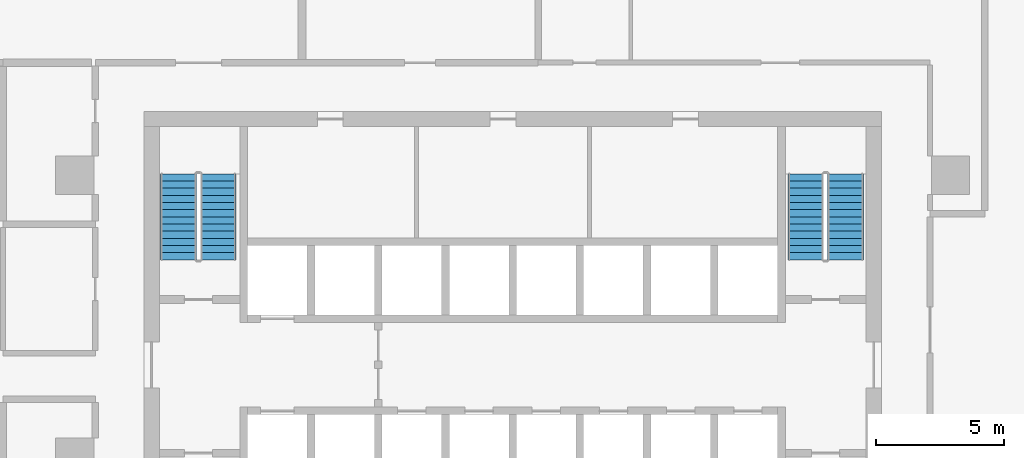
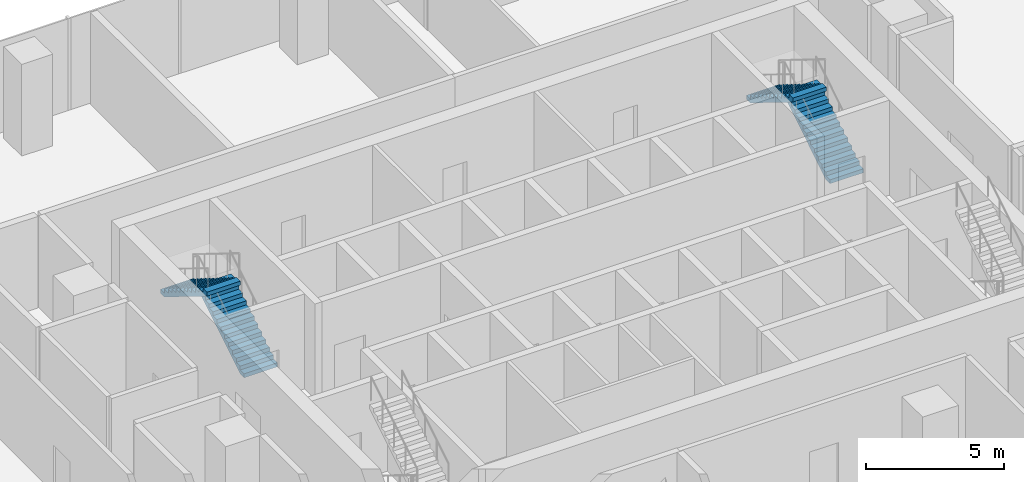
# One storey, part 11 of 15: 4 stair flights, 2 elements without a shape of their own.
"""IFC4 building model written with IfcOpenShell, lengths in metres."""

from ifc_helpers import new_model, si_unit, direction, frame, origin, place, context, subcontext, project, spatial, polyline, outline, extrude, material, type_object, element, aggregate, save


model = new_model("IFC4")

# Units and contexts
model_context = context("Model", 3, precision=1e-05, world=origin(), true_north=direction((0.0, 1.0)))
body_context = subcontext(model_context, "Body", "Model", "MODEL_VIEW")
ifc_project = project(units=[si_unit("LENGTHUNIT", "METRE"), si_unit("AREAUNIT", "SQUARE_METRE"), si_unit("VOLUMEUNIT", "CUBIC_METRE"), si_unit("PLANEANGLEUNIT", "RADIAN"), si_unit("MASSUNIT", "GRAM", prefix="KILO")], contexts=[model_context])

# Site, building, storey
site_placement = place(None, origin())
site = spatial("IfcSite", under=ifc_project, at=site_placement, CompositionType="ELEMENT")
building_placement = place(site_placement, origin())
building = spatial("IfcBuilding", under=site, at=building_placement, Name="Mopane Tessera Tower", CompositionType="ELEMENT")
storey_placement = place(building_placement, frame((0.0, 0.0, 99.10009765625)))
storey = spatial("IfcBuildingStorey", under=building, at=storey_placement, Name="L19", CompositionType="ELEMENT", Elevation=99.10009765625)

# Stair, stair flights
ifc_material_1 = material(Name="Concrete C50/60", Category="concrete")
stair_type = type_object("IfcStairType", Name="Escape stair 1400 mm, riser 173 mm", PredefinedType="HALF_TURN_STAIR", material=ifc_material_1)
stair_1_placement = place(storey_placement, origin())
stair_1 = element("IfcStair", 1, at=stair_1_placement, inside=storey, type_object=stair_type, Name="L19 Escape stair north-west", PredefinedType="HALF_TURN_STAIR")
ifc_material_2 = material(Name="Concrete C50/60", Category="concrete")
stair_flight_type = type_object("IfcStairFlightType", Name="Escape stair flight 1400 mm", PredefinedType="STRAIGHT", material=ifc_material_2)
stair_flight_1_placement = place(storey_placement, frame((-11.5, 7.699951171875, 0.0), z_axis=(0.0, 0.0, 1.0), x_axis=(0.0, 1.0, 0.0)))
stair_flight_1 = element("IfcStairFlight", 2, at=stair_flight_1_placement, type_object=stair_flight_type, Name="ST2 flight 1", NumberOfRisers=13, NumberOfTreads=12, PredefinedType="STRAIGHT", RiserHeight=0.173076923, TreadLength=0.28, context=body_context, shape_type="SweptSolid", body=[
    extrude(outline(polyline([(0.0, 0.0), (0.0, 0.173095703125), (0.280029296875, 0.173095703125), (0.280029296875, 0.34619140625), (0.56005859375, 0.34619140625), (0.56005859375, 0.519287109375), (0.840087890625, 0.519287109375), (0.840087890625, 0.6923828125), (1.1201171875, 0.6923828125), (1.1201171875, 0.865478515625), (1.39990234375, 0.865478515625), (1.39990234375, 1.03857421875), (1.679931640625, 1.03857421875), (1.679931640625, 1.21142578125), (1.9599609375, 1.21142578125), (1.9599609375, 1.384521484375), (2.239990234375, 1.384521484375), (2.239990234375, 1.5576171875), (2.52001953125, 1.5576171875), (2.52001953125, 1.730712890625), (2.800048828125, 1.730712890625), (2.800048828125, 1.90380859375), (3.080078125, 1.90380859375), (3.080078125, 2.076904296875), (3.360107421875, 2.076904296875), (3.360107421875, 2.25), (3.360107421875, 1.900634765625), (0.28515625, 0.0), (0.0, 0.0)])), frame((0.0, 0.699951171875, 0.0), z_axis=(0.0, -1.0, 0.0), x_axis=(1.0, 0.0, 0.0)), (0.0, 0.0, 1.0), 1.39990234375),
])
stair_flight_2_placement = place(storey_placement, frame((-13.050048828125, 11.06005859375, 2.25), z_axis=(0.0, 0.0, 1.0), x_axis=(0.0, -1.0, 0.0)))
stair_flight_2 = element("IfcStairFlight", 3, at=stair_flight_2_placement, type_object=stair_flight_type, Name="ST2 flight 2", NumberOfRisers=13, NumberOfTreads=12, PredefinedType="STRAIGHT", RiserHeight=0.173076923, TreadLength=0.28, context=body_context, shape_type="SweptSolid", body=[
    extrude(outline(polyline([(0.0, 0.0), (0.0, 0.173095703125), (0.280029296875, 0.173095703125), (0.280029296875, 0.34619140625), (0.56005859375, 0.34619140625), (0.56005859375, 0.519287109375), (0.840087890625, 0.519287109375), (0.840087890625, 0.6923828125), (1.1201171875, 0.6923828125), (1.1201171875, 0.865478515625), (1.39990234375, 0.865478515625), (1.39990234375, 1.03857421875), (1.679931640625, 1.03857421875), (1.679931640625, 1.21142578125), (1.9599609375, 1.21142578125), (1.9599609375, 1.384521484375), (2.239990234375, 1.384521484375), (2.239990234375, 1.5576171875), (2.52001953125, 1.5576171875), (2.52001953125, 1.730712890625), (2.800048828125, 1.730712890625), (2.800048828125, 1.90380859375), (3.080078125, 1.90380859375), (3.080078125, 2.076904296875), (3.360107421875, 2.076904296875), (3.360107421875, 2.25), (3.360107421875, 1.900634765625), (0.28515625, 0.0), (0.0, 0.0)])), frame((0.0, 0.699951171875, 0.0), z_axis=(0.0, -1.0, 0.0), x_axis=(1.0, 0.0, 0.0)), (0.0, 0.0, 1.0), 1.39990234375),
])
aggregate(stair_1, [stair_flight_1, stair_flight_2])

stair_2_placement = place(storey_placement, origin())
stair_2 = element("IfcStair", 4, at=stair_2_placement, inside=storey, type_object=stair_type, Name="L19 Escape stair north-east", PredefinedType="HALF_TURN_STAIR")
stair_flight_3_placement = place(storey_placement, frame((13.0, 7.699951171875, 0.0), z_axis=(0.0, 0.0, 1.0), x_axis=(0.0, 1.0, 0.0)))
stair_flight_3 = element("IfcStairFlight", 5, at=stair_flight_3_placement, type_object=stair_flight_type, Name="ST4 flight 1", NumberOfRisers=13, NumberOfTreads=12, PredefinedType="STRAIGHT", RiserHeight=0.173076923, TreadLength=0.28, context=body_context, shape_type="SweptSolid", body=[
    extrude(outline(polyline([(0.0, 0.0), (0.0, 0.173095703125), (0.280029296875, 0.173095703125), (0.280029296875, 0.34619140625), (0.56005859375, 0.34619140625), (0.56005859375, 0.519287109375), (0.840087890625, 0.519287109375), (0.840087890625, 0.6923828125), (1.1201171875, 0.6923828125), (1.1201171875, 0.865478515625), (1.39990234375, 0.865478515625), (1.39990234375, 1.03857421875), (1.679931640625, 1.03857421875), (1.679931640625, 1.21142578125), (1.9599609375, 1.21142578125), (1.9599609375, 1.384521484375), (2.239990234375, 1.384521484375), (2.239990234375, 1.5576171875), (2.52001953125, 1.5576171875), (2.52001953125, 1.730712890625), (2.800048828125, 1.730712890625), (2.800048828125, 1.90380859375), (3.080078125, 1.90380859375), (3.080078125, 2.076904296875), (3.360107421875, 2.076904296875), (3.360107421875, 2.25), (3.360107421875, 1.900634765625), (0.28515625, 0.0), (0.0, 0.0)])), frame((0.0, 0.699951171875, 0.0), z_axis=(0.0, -1.0, 0.0), x_axis=(1.0, 0.0, 0.0)), (0.0, 0.0, 1.0), 1.39990234375),
])
stair_flight_4_placement = place(storey_placement, frame((11.449951171875, 11.06005859375, 2.25), z_axis=(0.0, 0.0, 1.0), x_axis=(0.0, -1.0, 0.0)))
stair_flight_4 = element("IfcStairFlight", 6, at=stair_flight_4_placement, type_object=stair_flight_type, Name="ST4 flight 2", NumberOfRisers=13, NumberOfTreads=12, PredefinedType="STRAIGHT", RiserHeight=0.173076923, TreadLength=0.28, context=body_context, shape_type="SweptSolid", body=[
    extrude(outline(polyline([(0.0, 0.0), (0.0, 0.173095703125), (0.280029296875, 0.173095703125), (0.280029296875, 0.34619140625), (0.56005859375, 0.34619140625), (0.56005859375, 0.519287109375), (0.840087890625, 0.519287109375), (0.840087890625, 0.6923828125), (1.1201171875, 0.6923828125), (1.1201171875, 0.865478515625), (1.39990234375, 0.865478515625), (1.39990234375, 1.03857421875), (1.679931640625, 1.03857421875), (1.679931640625, 1.21142578125), (1.9599609375, 1.21142578125), (1.9599609375, 1.384521484375), (2.239990234375, 1.384521484375), (2.239990234375, 1.5576171875), (2.52001953125, 1.5576171875), (2.52001953125, 1.730712890625), (2.800048828125, 1.730712890625), (2.800048828125, 1.90380859375), (3.080078125, 1.90380859375), (3.080078125, 2.076904296875), (3.360107421875, 2.076904296875), (3.360107421875, 2.25), (3.360107421875, 1.900634765625), (0.28515625, 0.0), (0.0, 0.0)])), frame((0.0, 0.699951171875, 0.0), z_axis=(0.0, -1.0, 0.0), x_axis=(1.0, 0.0, 0.0)), (0.0, 0.0, 1.0), 1.39990234375),
])
aggregate(stair_2, [stair_flight_3, stair_flight_4])

save(model, "model.ifc")
